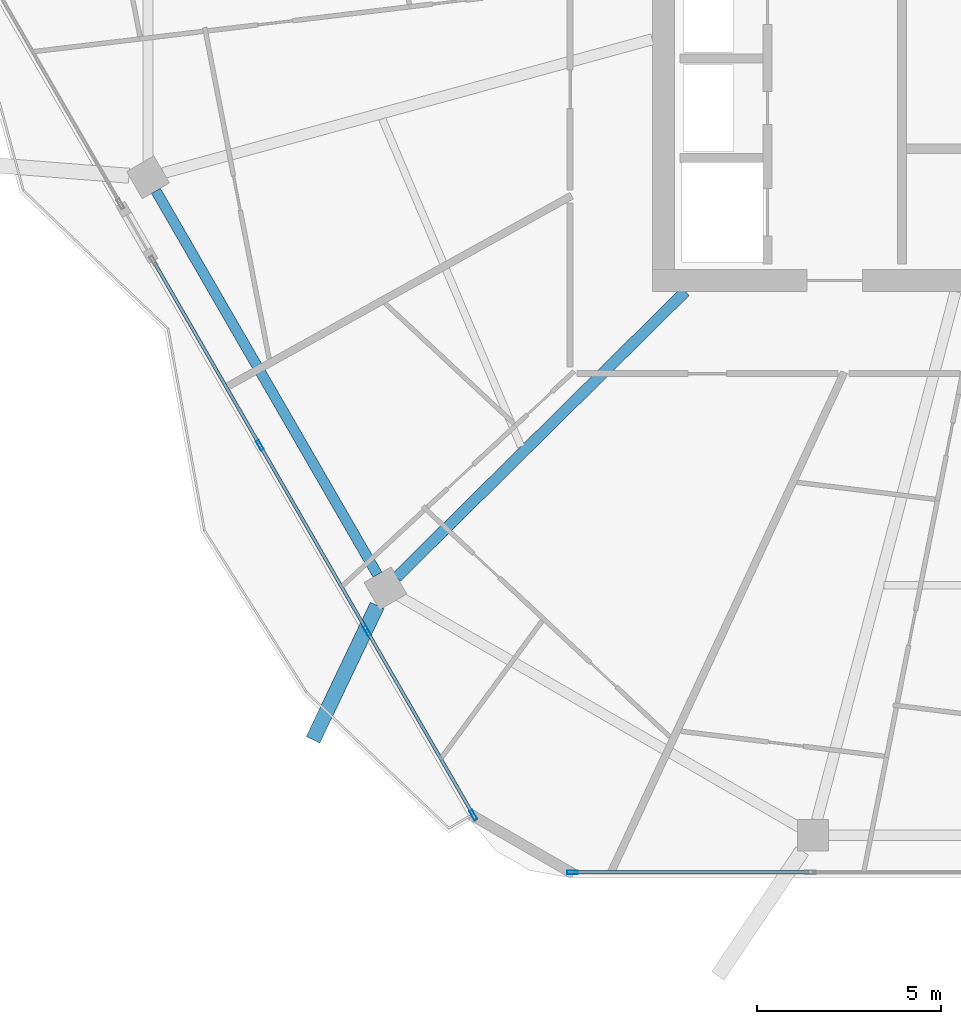
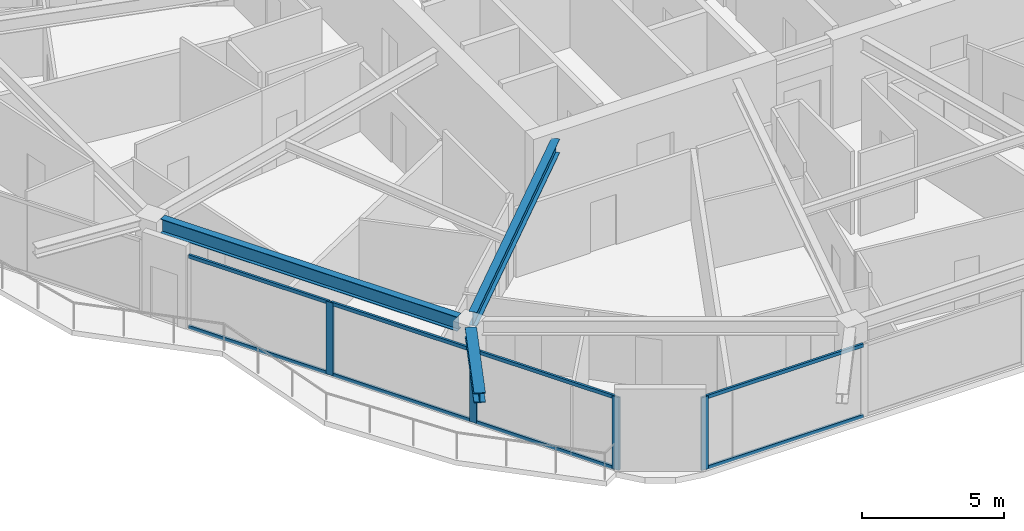
# One storey, part 2 of 26: 12 members, 3 beams, 2 elements without a shape of their own.
"""IFC4 building model written with IfcOpenShell, lengths in metres."""

from ifc_helpers import new_model, si_unit, direction, frame, origin, origin_2d, place, context, subcontext, project, spatial, hollow_rectangle, i_section, extrude, material, material_profile, profile_set, type_object, element, aggregate, save


model = new_model("IFC4")

# Units and contexts
model_context = context("Model", 3, precision=1e-05, world=origin(), true_north=direction((0.0, 1.0)))
body_context = subcontext(model_context, "Body", "Model", "MODEL_VIEW")
ifc_project = project(units=[si_unit("LENGTHUNIT", "METRE"), si_unit("AREAUNIT", "SQUARE_METRE"), si_unit("VOLUMEUNIT", "CUBIC_METRE"), si_unit("PLANEANGLEUNIT", "RADIAN"), si_unit("MASSUNIT", "GRAM", prefix="KILO")], contexts=[model_context])

# Site, building, storey
site_placement = place(None, origin())
site = spatial("IfcSite", under=ifc_project, at=site_placement, CompositionType="ELEMENT")
building_placement = place(site_placement, origin())
building = spatial("IfcBuilding", under=site, at=building_placement, Name="Zuhravey Tower", CompositionType="ELEMENT")
storey_placement = place(building_placement, frame((0.0, 0.0, 273.0)))
storey = spatial("IfcBuildingStorey", under=building, at=storey_placement, Name="L69", CompositionType="ELEMENT", Elevation=273.0)

# Curtain wall, member
ifc_material_1 = material(Name="Thermally broken anodised aluminium", Category="aluminium")
curtain_wall_type = type_object("IfcCurtainWallType", Name="Zone 3-4 High-Rise Curtain Wall CW4", PredefinedType="NOTDEFINED", material=ifc_material_1)
curtain_wall_1_placement = place(storey_placement, origin())
curtain_wall_1 = element("IfcCurtainWall", 1, at=curtain_wall_1_placement, inside=storey, type_object=curtain_wall_type, Name="L69 CW4 CW-L69-F5-1", PredefinedType="NOTDEFINED")
ifc_material_2 = material(Name="Anodised aluminium", Category="aluminium")
ifc_material_profile_1 = material_profile(ifc_material_2, hollow_rectangle(XDim=0.090087890625, YDim=0.284912109375, WallThickness=0.0048828125, at=origin_2d()), Name="ALU-RHS-90x285x5")
ifc_profile_set_1 = profile_set([ifc_material_profile_1], Name="Anodised aluminium")
member_type_1 = type_object("IfcMemberType", Name="Curtain-Wall Mullion 90x180", PredefinedType="MULLION", material=ifc_profile_set_1)
member_1_placement = place(storey_placement, frame((23.0322265625, 6.436279296875, 0.0), z_axis=(0.0, 0.0, 1.0), x_axis=(0.0, -1.0, 0.0)))
member_1 = element("IfcMember", 2, at=member_1_placement, type_object=member_type_1, Name="CW4 mullion 5", PredefinedType="MULLION", context=body_context, shape_type="SweptSolid", body=[
    extrude(hollow_rectangle(XDim=0.090087890625, YDim=0.284912109375, WallThickness=0.0048828125, at=origin_2d()), origin(), (0.0, 0.0, 1.0), 3.1220703125),
])

# Curtain wall, members
curtain_wall_2_placement = place(storey_placement, origin())
curtain_wall_2 = element("IfcCurtainWall", 3, at=curtain_wall_2_placement, inside=storey, type_object=curtain_wall_type, Name="L69 CW4 CW-L69-F4-1", PredefinedType="NOTDEFINED")
member_2_placement = place(storey_placement, frame((20.34521484375, 7.98779296875, 0.0), z_axis=(0.0, 0.0, 1.0), x_axis=(-0.866023893294, -0.500002616237, 0.0)))
member_2 = element("IfcMember", 4, at=member_2_placement, type_object=member_type_1, Name="CW4 mullion 1", PredefinedType="MULLION", context=body_context, shape_type="SweptSolid", body=[
    extrude(hollow_rectangle(XDim=0.090087890625, YDim=0.284912109375, WallThickness=0.0048828125, at=origin_2d()), origin(), (0.0, 0.0, 1.0), 3.1220703125),
])
member_3_placement = place(storey_placement, frame((17.4580078125, 12.98828125, 0.0), z_axis=(0.0, 0.0, 1.0), x_axis=(-0.866023893294, -0.500002616237, 0.0)))
member_3 = element("IfcMember", 5, at=member_3_placement, type_object=member_type_1, Name="CW4 mullion 2", PredefinedType="MULLION", context=body_context, shape_type="SweptSolid", body=[
    extrude(hollow_rectangle(XDim=0.090087890625, YDim=0.284912109375, WallThickness=0.0048828125, at=origin_2d()), origin(), (0.0, 0.0, 1.0), 3.1220703125),
])
member_4_placement = place(storey_placement, frame((14.548583984375, 18.027587890625, 0.0), z_axis=(0.0, 0.0, 1.0), x_axis=(-0.866023893294, -0.500002616237, 0.0)))
member_4 = element("IfcMember", 6, at=member_4_placement, type_object=member_type_1, Name="CW4 mullion 3", PredefinedType="MULLION", context=body_context, shape_type="SweptSolid", body=[
    extrude(hollow_rectangle(XDim=0.090087890625, YDim=0.284912109375, WallThickness=0.0048828125, at=origin_2d()), origin(), (0.0, 0.0, 1.0), 3.1220703125),
])

# Member
ifc_material_profile_2 = material_profile(ifc_material_2, hollow_rectangle(XDim=0.090087890625, YDim=0.14990234375, WallThickness=0.0048828125, at=origin_2d()), Name="ALU-RHS-90x150x5")
ifc_profile_set_2 = profile_set([ifc_material_profile_2], Name="Anodised aluminium")
member_type_2 = type_object("IfcMemberType", Name="Curtain-Wall Transom 90x150", PredefinedType="USERDEFINED", material=ifc_profile_set_2)
member_5_placement = place(storey_placement, frame((29.44873046875, 6.436279296875, 0.044921875), z_axis=(-1.0, 0.0, 0.0), x_axis=(0.0, -1.0, 0.0)))
member_5 = element("IfcMember", 7, at=member_5_placement, type_object=member_type_2, Name="CW4 transom 4.1", ObjectType="TRANSOM", PredefinedType="USERDEFINED", context=body_context, shape_type="SweptSolid", body=[
    extrude(hollow_rectangle(XDim=0.090087890625, YDim=0.14990234375, WallThickness=0.0048828125, at=origin_2d()), origin(), (0.0, 0.0, 1.0), 6.371337890625),
])

member_6_placement = place(storey_placement, frame((29.44873046875, 6.436279296875, 3.076904296875), z_axis=(-1.0, 0.0, 0.0), x_axis=(0.0, -1.0, 0.0)))
member_6 = element("IfcMember", 8, at=member_6_placement, type_object=member_type_2, Name="CW4 transom 4.2", ObjectType="TRANSOM", PredefinedType="USERDEFINED", context=body_context, shape_type="SweptSolid", body=[
    extrude(hollow_rectangle(XDim=0.090087890625, YDim=0.14990234375, WallThickness=0.0048828125, at=origin_2d()), origin(), (0.0, 0.0, 1.0), 6.371337890625),
])

aggregate(curtain_wall_1, [member_1, member_5, member_6])

member_7_placement = place(storey_placement, frame((20.322509765625, 8.02685546875, 0.044921875), z_axis=(-0.499982728352, 0.866035375346, 0.0), x_axis=(-0.866035375346, -0.499982728352, 0.0)))
member_7 = element("IfcMember", 9, at=member_7_placement, type_object=member_type_2, Name="CW4 transom 1.1", ObjectType="TRANSOM", PredefinedType="USERDEFINED", context=body_context, shape_type="SweptSolid", body=[
    extrude(hollow_rectangle(XDim=0.090087890625, YDim=0.14990234375, WallThickness=0.0048828125, at=origin_2d()), origin(), (0.0, 0.0, 1.0), 5.683837890625),
])

member_8_placement = place(storey_placement, frame((20.322509765625, 8.02685546875, 3.076904296875), z_axis=(-0.499982728352, 0.866035375346, 0.0), x_axis=(-0.866035375346, -0.499982728352, 0.0)))
member_8 = element("IfcMember", 10, at=member_8_placement, type_object=member_type_2, Name="CW4 transom 1.2", ObjectType="TRANSOM", PredefinedType="USERDEFINED", context=body_context, shape_type="SweptSolid", body=[
    extrude(hollow_rectangle(XDim=0.090087890625, YDim=0.14990234375, WallThickness=0.0048828125, at=origin_2d()), origin(), (0.0, 0.0, 1.0), 5.683837890625),
])

member_9_placement = place(storey_placement, frame((17.435546875, 13.02734375, 0.044921875), z_axis=(-0.500002807145, 0.866023783073, 0.0), x_axis=(-0.866023783073, -0.500002807145, 0.0)))
member_9 = element("IfcMember", 11, at=member_9_placement, type_object=member_type_2, Name="CW4 transom 2.1", ObjectType="TRANSOM", PredefinedType="USERDEFINED", context=body_context, shape_type="SweptSolid", body=[
    extrude(hollow_rectangle(XDim=0.090087890625, YDim=0.14990234375, WallThickness=0.0048828125, at=origin_2d()), origin(), (0.0, 0.0, 1.0), 5.72900390625),
])

member_10_placement = place(storey_placement, frame((17.435546875, 13.02734375, 3.076904296875), z_axis=(-0.500002807145, 0.866023783073, 0.0), x_axis=(-0.866023783073, -0.500002807145, 0.0)))
member_10 = element("IfcMember", 12, at=member_10_placement, type_object=member_type_2, Name="CW4 transom 2.2", ObjectType="TRANSOM", PredefinedType="USERDEFINED", context=body_context, shape_type="SweptSolid", body=[
    extrude(hollow_rectangle(XDim=0.090087890625, YDim=0.14990234375, WallThickness=0.0048828125, at=origin_2d()), origin(), (0.0, 0.0, 1.0), 5.72900390625),
])

member_11_placement = place(storey_placement, frame((14.526123046875, 18.066650390625, 0.044921875), z_axis=(-0.500014943438, 0.866016776015, 0.0), x_axis=(-0.866016776015, -0.500014943438, 0.0)))
member_11 = element("IfcMember", 13, at=member_11_placement, type_object=member_type_2, Name="CW4 transom 3.1", ObjectType="TRANSOM", PredefinedType="USERDEFINED", context=body_context, shape_type="SweptSolid", body=[
    extrude(hollow_rectangle(XDim=0.090087890625, YDim=0.14990234375, WallThickness=0.0048828125, at=origin_2d()), origin(), (0.0, 0.0, 1.0), 5.683837890625),
])

member_12_placement = place(storey_placement, frame((14.526123046875, 18.066650390625, 3.076904296875), z_axis=(-0.500014943438, 0.866016776015, 0.0), x_axis=(-0.866016776015, -0.500014943438, 0.0)))
member_12 = element("IfcMember", 14, at=member_12_placement, type_object=member_type_2, Name="CW4 transom 3.2", ObjectType="TRANSOM", PredefinedType="USERDEFINED", context=body_context, shape_type="SweptSolid", body=[
    extrude(hollow_rectangle(XDim=0.090087890625, YDim=0.14990234375, WallThickness=0.0048828125, at=origin_2d()), origin(), (0.0, 0.0, 1.0), 5.683837890625),
])

aggregate(curtain_wall_2, [member_2, member_3, member_4, member_7, member_8, member_9, member_10, member_11, member_12])

# Beams
ifc_material_3 = material(Name="Steel SM460", Category="steel")
ifc_material_profile_3 = material_profile(ifc_material_3, i_section(OverallWidth=0.406982421875, OverallDepth=0.427978515625, WebThickness=0.02001953125, FlangeThickness=0.034912109375, at=origin_2d()), Name="H-428x407x20x35")
ifc_profile_set_3 = profile_set([ifc_material_profile_3], Name="Steel SM460")
beam_type_1 = type_object("IfcBeamType", Name="Exoskeleton Node Tie Beam H428x407", PredefinedType="BEAM", material=ifc_profile_set_3)
beam_1_placement = place(storey_placement, frame((17.732421875, 13.676513671875, 3.3359375), z_axis=(-0.430986955836, -0.902358157219, 0.0), x_axis=(0.902358157219, -0.430986955836, 0.0)))
element("IfcBeam", 15, at=beam_1_placement, inside=storey, type_object=beam_type_1, Name="L69 Exoskeleton Node Tie NT1-08", PredefinedType="BEAM", context=body_context, shape_type="SweptSolid", body=[
    extrude(i_section(OverallWidth=0.406982421875, OverallDepth=0.427978515625, WebThickness=0.02001953125, FlangeThickness=0.034912109375, at=origin_2d()), origin(), (0.0, 0.0, 1.0), 4.038330078125),
])
ifc_material_4 = material(Name="Steel SM355", Category="steel")
ifc_material_profile_4 = material_profile(ifc_material_4, i_section(OverallWidth=0.280029296875, OverallDepth=0.6201171875, WebThickness=0.011962890625, FlangeThickness=0.02001953125, at=origin_2d()), Name="H-620x280x12x20")
ifc_profile_set_4 = profile_set([ifc_material_profile_4], Name="Steel SM355")
beam_type_2 = type_object("IfcBeamType", Name="Perimeter Ring Beam H620x280", PredefinedType="BEAM", material=ifc_profile_set_4)
beam_2_placement = place(storey_placement, frame((11.7294921875, 24.930419921875, 3.239990234375), z_axis=(0.500005971936, -0.866021955858, 0.0), x_axis=(0.866021955858, 0.500005971936, 0.0)))
element("IfcBeam", 16, at=beam_2_placement, inside=storey, type_object=beam_type_2, Name="L69 PB3 BM-L69-PB-07", PredefinedType="BEAM", context=body_context, shape_type="SweptSolid", body=[
    extrude(i_section(OverallWidth=0.280029296875, OverallDepth=0.6201171875, WebThickness=0.011962890625, FlangeThickness=0.02001953125, at=origin_2d()), origin(), (0.0, 0.0, 1.0), 12.025634765625),
])
ifc_material_profile_5 = material_profile(ifc_material_4, i_section(OverallWidth=0.300048828125, OverallDepth=0.60009765625, WebThickness=0.011962890625, FlangeThickness=0.02001953125, at=origin_2d()), Name="H-600x300x12x20")
ifc_profile_set_5 = profile_set([ifc_material_profile_5], Name="Steel SM355")
beam_type_3 = type_object("IfcBeamType", Name="Radial Primary Girder H600x300", PredefinedType="BEAM", material=ifc_profile_set_5)
beam_3_placement = place(storey_placement, frame((26.09326171875, 22.197021484375, 3.25), z_axis=(-0.710808169267, -0.70338591577, 0.0), x_axis=(0.70338591577, -0.710808169267, 0.0)))
element("IfcBeam", 17, at=beam_3_placement, inside=storey, type_object=beam_type_3, Name="L69 RG3 BM-L69-RAD-08", PredefinedType="BEAM", context=body_context, shape_type="SweptSolid", body=[
    extrude(i_section(OverallWidth=0.300048828125, OverallDepth=0.60009765625, WebThickness=0.011962890625, FlangeThickness=0.02001953125, at=origin_2d()), origin(), (0.0, 0.0, 1.0), 11.019287109375),
])

save(model, "model.ifc")
